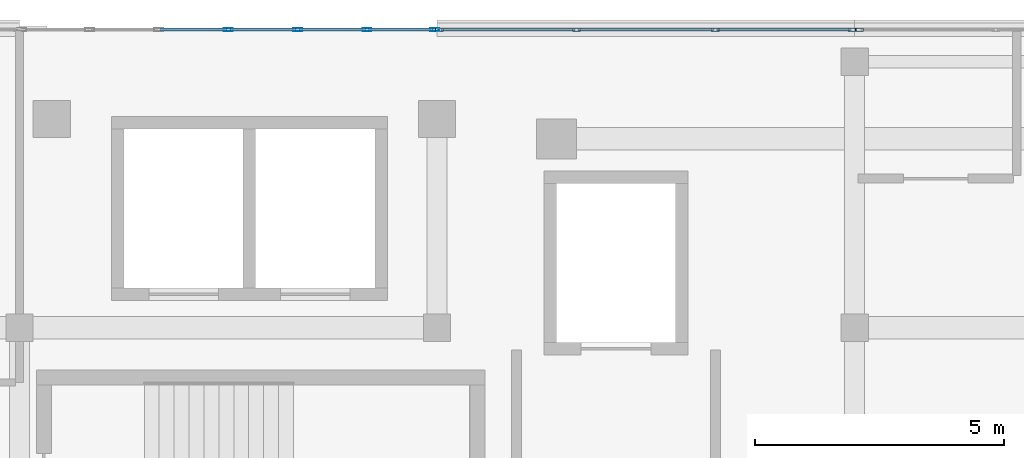
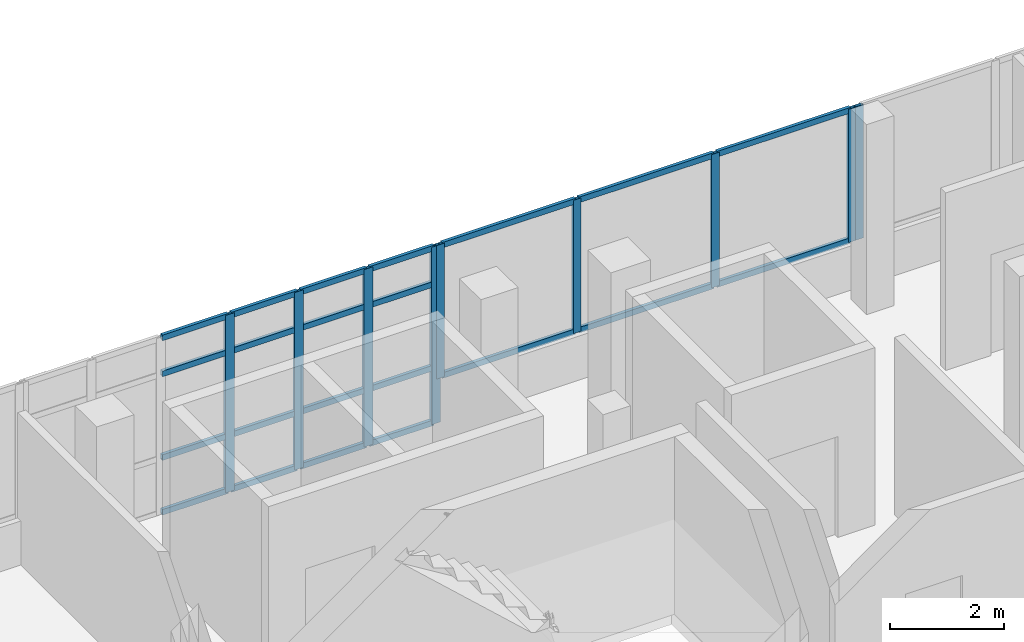
# One storey, part 20 of 66: 31 members, 3 elements without a shape of their own.
"""IFC4 building model written with IfcOpenShell, lengths in metres."""

from ifc_helpers import new_model, si_unit, direction, frame, origin, origin_2d, place, context, subcontext, project, spatial, hollow_rectangle, extrude, material, material_profile, profile_set, type_object, element, aggregate, save


model = new_model("IFC4")

# Units and contexts
model_context = context("Model", 3, precision=1e-05, world=origin(), true_north=direction((0.0, 1.0)))
body_context = subcontext(model_context, "Body", "Model", "MODEL_VIEW")
ifc_project = project(units=[si_unit("LENGTHUNIT", "METRE"), si_unit("AREAUNIT", "SQUARE_METRE"), si_unit("VOLUMEUNIT", "CUBIC_METRE"), si_unit("PLANEANGLEUNIT", "RADIAN"), si_unit("MASSUNIT", "GRAM", prefix="KILO")], contexts=[model_context])

# Site, building, storey
site_placement = place(None, origin())
site = spatial("IfcSite", under=ifc_project, at=site_placement, CompositionType="ELEMENT")
building_placement = place(site_placement, origin())
building = spatial("IfcBuilding", under=site, at=building_placement, Name="Selatvlak General Hospital", CompositionType="ELEMENT")
storey_placement = place(building_placement, frame((0.0, 0.0, 31.35009765625)))
storey = spatial("IfcBuildingStorey", under=building, at=storey_placement, Name="L07", CompositionType="ELEMENT", Elevation=31.35009765625)

# Curtain wall, members
ifc_material_1 = material(Name="Solar-control Low-E double glazing", Category="glass")
curtain_wall_type_1 = type_object("IfcCurtainWallType", Name="CW-CW-01", PredefinedType="USERDEFINED", material=ifc_material_1)
curtain_wall_1_placement = place(storey_placement, origin())
curtain_wall_1 = element("IfcCurtainWall", 1, at=curtain_wall_1_placement, inside=storey, type_object=curtain_wall_type_1, Name="Glazed facade curtain wall CW-L07-0647", ObjectType="UNITISED CURTAIN WALL", PredefinedType="USERDEFINED")
ifc_material_2 = material(Name="Dark anodised aluminium mullion", Category="aluminium")
ifc_material_profile_1 = material_profile(ifc_material_2, hollow_rectangle(XDim=0.06494140625, YDim=0.159912109375, WallThickness=0.00390625, at=origin_2d()), Name="AL-MUL 65x160x4")
ifc_profile_set_1 = profile_set([ifc_material_profile_1], Name="Dark anodised aluminium mullion")
member_type_1 = type_object("IfcMemberType", Name="CWM-01", PredefinedType="MULLION", material=ifc_profile_set_1)
member_1_placement = place(storey_placement, frame((56.447509765625, 119.9990234375, 0.93994140625), z_axis=(0.0, 0.0, 1.0), x_axis=(0.0, 1.0, 0.0)))
member_1 = element("IfcMember", 2, at=member_1_placement, type_object=member_type_1, Name="CW-01 mullion 1", PredefinedType="MULLION", context=body_context, shape_type="SweptSolid", body=[
    extrude(hollow_rectangle(XDim=0.06494140625, YDim=0.159912109375, WallThickness=0.00390625, at=origin_2d()), origin(), (0.0, 0.0, 1.0), 2.844970703125),
])
member_2_placement = place(storey_placement, frame((59.205078125, 119.9990234375, 0.93994140625), z_axis=(0.0, 0.0, 1.0), x_axis=(0.0, 1.0, 0.0)))
member_2 = element("IfcMember", 3, at=member_2_placement, type_object=member_type_1, Name="CW-01 mullion 2", PredefinedType="MULLION", context=body_context, shape_type="SweptSolid", body=[
    extrude(hollow_rectangle(XDim=0.06494140625, YDim=0.159912109375, WallThickness=0.00390625, at=origin_2d()), origin(), (0.0, 0.0, 1.0), 2.844970703125),
])
member_3_placement = place(storey_placement, frame((61.9951171875, 119.9990234375, 0.93994140625), z_axis=(0.0, 0.0, 1.0), x_axis=(0.0, 1.0, 0.0)))
member_3 = element("IfcMember", 4, at=member_3_placement, type_object=member_type_1, Name="CW-01 mullion 3", PredefinedType="MULLION", context=body_context, shape_type="SweptSolid", body=[
    extrude(hollow_rectangle(XDim=0.06494140625, YDim=0.159912109375, WallThickness=0.00390625, at=origin_2d()), origin(), (0.0, 0.0, 1.0), 2.844970703125),
])
member_4_placement = place(storey_placement, frame((64.75244140625, 119.9990234375, 0.93994140625), z_axis=(0.0, 0.0, 1.0), x_axis=(0.0, 1.0, 0.0)))
member_4 = element("IfcMember", 5, at=member_4_placement, type_object=member_type_1, Name="CW-01 mullion 4", PredefinedType="MULLION", context=body_context, shape_type="SweptSolid", body=[
    extrude(hollow_rectangle(XDim=0.06494140625, YDim=0.159912109375, WallThickness=0.00390625, at=origin_2d()), origin(), (0.0, 0.0, 1.0), 2.844970703125),
])

# Curtain wall, member
curtain_wall_type_2 = type_object("IfcCurtainWallType", Name="CW-CW-02", PredefinedType="USERDEFINED", material=ifc_material_1)
curtain_wall_2_placement = place(storey_placement, origin())
curtain_wall_2 = element("IfcCurtainWall", 6, at=curtain_wall_2_placement, inside=storey, type_object=curtain_wall_type_2, Name="Glazed facade curtain wall CW-L07-0648", ObjectType="UNITISED CURTAIN WALL", PredefinedType="USERDEFINED")
member_5_placement = place(storey_placement, frame((64.8974609375, 119.9990234375, 0.93994140625), z_axis=(0.0, 0.0, 1.0), x_axis=(0.0, 1.0, 0.0)))
member_5 = element("IfcMember", 7, at=member_5_placement, type_object=member_type_1, Name="CW-02 mullion 1", PredefinedType="MULLION", context=body_context, shape_type="SweptSolid", body=[
    extrude(hollow_rectangle(XDim=0.06494140625, YDim=0.159912109375, WallThickness=0.00390625, at=origin_2d()), origin(), (0.0, 0.0, 1.0), 2.844970703125),
])
aggregate(curtain_wall_2, [member_5])

# Curtain wall, members
curtain_wall_type_3 = type_object("IfcCurtainWallType", Name="CW-CW-04", PredefinedType="USERDEFINED", material=ifc_material_1)
curtain_wall_3_placement = place(storey_placement, origin())
curtain_wall_3 = element("IfcCurtainWall", 8, at=curtain_wall_3_placement, inside=storey, type_object=curtain_wall_type_3, Name="Glazed facade curtain wall CW-L07-0646", ObjectType="STICK GLAZING WALL", PredefinedType="USERDEFINED")
ifc_material_profile_2 = material_profile(ifc_material_2, hollow_rectangle(XDim=0.06494140625, YDim=0.179931640625, WallThickness=0.00439453125, at=origin_2d()), Name="AL-MUL 65x180x4.5")
ifc_profile_set_2 = profile_set([ifc_material_profile_2], Name="Dark anodised aluminium mullion")
member_type_2 = type_object("IfcMemberType", Name="CWM-02", PredefinedType="MULLION", material=ifc_profile_set_2)
member_6_placement = place(storey_placement, frame((52.199951171875, 119.9990234375, 0.0), z_axis=(0.0, 0.0, 1.0), x_axis=(0.0, 1.0, 0.0)))
member_6 = element("IfcMember", 9, at=member_6_placement, type_object=member_type_2, Name="CW-04 mullion 4", PredefinedType="MULLION", context=body_context, shape_type="SweptSolid", body=[
    extrude(hollow_rectangle(XDim=0.06494140625, YDim=0.179931640625, WallThickness=0.00439453125, at=origin_2d()), origin(), (0.0, 0.0, 1.0), 3.784912109375),
])
member_7_placement = place(storey_placement, frame((53.594970703125, 119.9990234375, 0.0), z_axis=(0.0, 0.0, 1.0), x_axis=(0.0, 1.0, 0.0)))
member_7 = element("IfcMember", 10, at=member_7_placement, type_object=member_type_2, Name="CW-04 mullion 5", PredefinedType="MULLION", context=body_context, shape_type="SweptSolid", body=[
    extrude(hollow_rectangle(XDim=0.06494140625, YDim=0.179931640625, WallThickness=0.00439453125, at=origin_2d()), origin(), (0.0, 0.0, 1.0), 3.784912109375),
])
member_8_placement = place(storey_placement, frame((54.989990234375, 119.9990234375, 0.0), z_axis=(0.0, 0.0, 1.0), x_axis=(0.0, 1.0, 0.0)))
member_8 = element("IfcMember", 11, at=member_8_placement, type_object=member_type_2, Name="CW-04 mullion 6", PredefinedType="MULLION", context=body_context, shape_type="SweptSolid", body=[
    extrude(hollow_rectangle(XDim=0.06494140625, YDim=0.179931640625, WallThickness=0.00439453125, at=origin_2d()), origin(), (0.0, 0.0, 1.0), 3.784912109375),
])
member_9_placement = place(storey_placement, frame((56.3525390625, 119.9990234375, 0.0), z_axis=(0.0, 0.0, 1.0), x_axis=(0.0, 1.0, 0.0)))
member_9 = element("IfcMember", 12, at=member_9_placement, type_object=member_type_2, Name="CW-04 mullion 7", PredefinedType="MULLION", context=body_context, shape_type="SweptSolid", body=[
    extrude(hollow_rectangle(XDim=0.06494140625, YDim=0.179931640625, WallThickness=0.00439453125, at=origin_2d()), origin(), (0.0, 0.0, 1.0), 3.784912109375),
])
ifc_material_profile_3 = material_profile(ifc_material_2, hollow_rectangle(XDim=0.06494140625, YDim=0.1201171875, WallThickness=0.00390625, at=origin_2d()), Name="AL-TRN 65x120x4")
ifc_profile_set_3 = profile_set([ifc_material_profile_3], Name="Dark anodised aluminium mullion")
member_type_3 = type_object("IfcMemberType", Name="CWT-01", PredefinedType="USERDEFINED", material=ifc_profile_set_3)
member_10_placement = place(storey_placement, frame((50.83740234375, 119.9990234375, 0.032470703125), z_axis=(1.0, 0.0, 0.0), x_axis=(0.0, 1.0, 0.0)))
member_10 = element("IfcMember", 13, at=member_10_placement, type_object=member_type_3, Name="CW-04 transom 3.1", ObjectType="TRANSOM", PredefinedType="USERDEFINED", context=body_context, shape_type="SweptSolid", body=[
    extrude(hollow_rectangle(XDim=0.06494140625, YDim=0.1201171875, WallThickness=0.00390625, at=origin_2d()), origin(), (0.0, 0.0, 1.0), 1.330078125),
])
member_11_placement = place(storey_placement, frame((50.83740234375, 119.9990234375, 1.199951171875), z_axis=(1.0, 0.0, 0.0), x_axis=(0.0, 1.0, 0.0)))
member_11 = element("IfcMember", 14, at=member_11_placement, type_object=member_type_3, Name="CW-04 transom 3.2", ObjectType="TRANSOM", PredefinedType="USERDEFINED", context=body_context, shape_type="SweptSolid", body=[
    extrude(hollow_rectangle(XDim=0.06494140625, YDim=0.1201171875, WallThickness=0.00390625, at=origin_2d()), origin(), (0.0, 0.0, 1.0), 1.330078125),
])
member_12_placement = place(storey_placement, frame((50.83740234375, 119.9990234375, 2.98486328125), z_axis=(1.0, 0.0, 0.0), x_axis=(0.0, 1.0, 0.0)))
member_12 = element("IfcMember", 15, at=member_12_placement, type_object=member_type_3, Name="CW-04 transom 3.3", ObjectType="TRANSOM", PredefinedType="USERDEFINED", context=body_context, shape_type="SweptSolid", body=[
    extrude(hollow_rectangle(XDim=0.06494140625, YDim=0.1201171875, WallThickness=0.00390625, at=origin_2d()), origin(), (0.0, 0.0, 1.0), 1.330078125),
])
member_13_placement = place(storey_placement, frame((50.83740234375, 119.9990234375, 3.75244140625), z_axis=(1.0, 0.0, 0.0), x_axis=(0.0, 1.0, 0.0)))
member_13 = element("IfcMember", 16, at=member_13_placement, type_object=member_type_3, Name="CW-04 transom 3.4", ObjectType="TRANSOM", PredefinedType="USERDEFINED", context=body_context, shape_type="SweptSolid", body=[
    extrude(hollow_rectangle(XDim=0.06494140625, YDim=0.1201171875, WallThickness=0.00390625, at=origin_2d()), origin(), (0.0, 0.0, 1.0), 1.330078125),
])
member_14_placement = place(storey_placement, frame((52.232421875, 119.9990234375, 0.032470703125), z_axis=(1.0, 0.0, 0.0), x_axis=(0.0, 1.0, 0.0)))
member_14 = element("IfcMember", 17, at=member_14_placement, type_object=member_type_3, Name="CW-04 transom 4.1", ObjectType="TRANSOM", PredefinedType="USERDEFINED", context=body_context, shape_type="SweptSolid", body=[
    extrude(hollow_rectangle(XDim=0.06494140625, YDim=0.1201171875, WallThickness=0.00390625, at=origin_2d()), origin(), (0.0, 0.0, 1.0), 1.330078125),
])
member_15_placement = place(storey_placement, frame((52.232421875, 119.9990234375, 1.199951171875), z_axis=(1.0, 0.0, 0.0), x_axis=(0.0, 1.0, 0.0)))
member_15 = element("IfcMember", 18, at=member_15_placement, type_object=member_type_3, Name="CW-04 transom 4.2", ObjectType="TRANSOM", PredefinedType="USERDEFINED", context=body_context, shape_type="SweptSolid", body=[
    extrude(hollow_rectangle(XDim=0.06494140625, YDim=0.1201171875, WallThickness=0.00390625, at=origin_2d()), origin(), (0.0, 0.0, 1.0), 1.330078125),
])
member_16_placement = place(storey_placement, frame((52.232421875, 119.9990234375, 2.98486328125), z_axis=(1.0, 0.0, 0.0), x_axis=(0.0, 1.0, 0.0)))
member_16 = element("IfcMember", 19, at=member_16_placement, type_object=member_type_3, Name="CW-04 transom 4.3", ObjectType="TRANSOM", PredefinedType="USERDEFINED", context=body_context, shape_type="SweptSolid", body=[
    extrude(hollow_rectangle(XDim=0.06494140625, YDim=0.1201171875, WallThickness=0.00390625, at=origin_2d()), origin(), (0.0, 0.0, 1.0), 1.330078125),
])
member_17_placement = place(storey_placement, frame((52.232421875, 119.9990234375, 3.75244140625), z_axis=(1.0, 0.0, 0.0), x_axis=(0.0, 1.0, 0.0)))
member_17 = element("IfcMember", 20, at=member_17_placement, type_object=member_type_3, Name="CW-04 transom 4.4", ObjectType="TRANSOM", PredefinedType="USERDEFINED", context=body_context, shape_type="SweptSolid", body=[
    extrude(hollow_rectangle(XDim=0.06494140625, YDim=0.1201171875, WallThickness=0.00390625, at=origin_2d()), origin(), (0.0, 0.0, 1.0), 1.330078125),
])
member_18_placement = place(storey_placement, frame((53.62744140625, 119.9990234375, 0.032470703125), z_axis=(1.0, 0.0, 0.0), x_axis=(0.0, 1.0, 0.0)))
member_18 = element("IfcMember", 21, at=member_18_placement, type_object=member_type_3, Name="CW-04 transom 5.1", ObjectType="TRANSOM", PredefinedType="USERDEFINED", context=body_context, shape_type="SweptSolid", body=[
    extrude(hollow_rectangle(XDim=0.06494140625, YDim=0.1201171875, WallThickness=0.00390625, at=origin_2d()), origin(), (0.0, 0.0, 1.0), 1.330078125),
])
member_19_placement = place(storey_placement, frame((53.62744140625, 119.9990234375, 1.199951171875), z_axis=(1.0, 0.0, 0.0), x_axis=(0.0, 1.0, 0.0)))
member_19 = element("IfcMember", 22, at=member_19_placement, type_object=member_type_3, Name="CW-04 transom 5.2", ObjectType="TRANSOM", PredefinedType="USERDEFINED", context=body_context, shape_type="SweptSolid", body=[
    extrude(hollow_rectangle(XDim=0.06494140625, YDim=0.1201171875, WallThickness=0.00390625, at=origin_2d()), origin(), (0.0, 0.0, 1.0), 1.330078125),
])
member_20_placement = place(storey_placement, frame((53.62744140625, 119.9990234375, 2.98486328125), z_axis=(1.0, 0.0, 0.0), x_axis=(0.0, 1.0, 0.0)))
member_20 = element("IfcMember", 23, at=member_20_placement, type_object=member_type_3, Name="CW-04 transom 5.3", ObjectType="TRANSOM", PredefinedType="USERDEFINED", context=body_context, shape_type="SweptSolid", body=[
    extrude(hollow_rectangle(XDim=0.06494140625, YDim=0.1201171875, WallThickness=0.00390625, at=origin_2d()), origin(), (0.0, 0.0, 1.0), 1.330078125),
])
member_21_placement = place(storey_placement, frame((53.62744140625, 119.9990234375, 3.75244140625), z_axis=(1.0, 0.0, 0.0), x_axis=(0.0, 1.0, 0.0)))
member_21 = element("IfcMember", 24, at=member_21_placement, type_object=member_type_3, Name="CW-04 transom 5.4", ObjectType="TRANSOM", PredefinedType="USERDEFINED", context=body_context, shape_type="SweptSolid", body=[
    extrude(hollow_rectangle(XDim=0.06494140625, YDim=0.1201171875, WallThickness=0.00390625, at=origin_2d()), origin(), (0.0, 0.0, 1.0), 1.330078125),
])
member_22_placement = place(storey_placement, frame((55.0224609375, 119.9990234375, 0.032470703125), z_axis=(1.0, 0.0, 0.0), x_axis=(0.0, 1.0, 0.0)))
member_22 = element("IfcMember", 25, at=member_22_placement, type_object=member_type_3, Name="CW-04 transom 6.1", ObjectType="TRANSOM", PredefinedType="USERDEFINED", context=body_context, shape_type="SweptSolid", body=[
    extrude(hollow_rectangle(XDim=0.06494140625, YDim=0.1201171875, WallThickness=0.00390625, at=origin_2d()), origin(), (0.0, 0.0, 1.0), 1.297607421875),
])
member_23_placement = place(storey_placement, frame((55.0224609375, 119.9990234375, 1.199951171875), z_axis=(1.0, 0.0, 0.0), x_axis=(0.0, 1.0, 0.0)))
member_23 = element("IfcMember", 26, at=member_23_placement, type_object=member_type_3, Name="CW-04 transom 6.2", ObjectType="TRANSOM", PredefinedType="USERDEFINED", context=body_context, shape_type="SweptSolid", body=[
    extrude(hollow_rectangle(XDim=0.06494140625, YDim=0.1201171875, WallThickness=0.00390625, at=origin_2d()), origin(), (0.0, 0.0, 1.0), 1.297607421875),
])
member_24_placement = place(storey_placement, frame((55.0224609375, 119.9990234375, 2.98486328125), z_axis=(1.0, 0.0, 0.0), x_axis=(0.0, 1.0, 0.0)))
member_24 = element("IfcMember", 27, at=member_24_placement, type_object=member_type_3, Name="CW-04 transom 6.3", ObjectType="TRANSOM", PredefinedType="USERDEFINED", context=body_context, shape_type="SweptSolid", body=[
    extrude(hollow_rectangle(XDim=0.06494140625, YDim=0.1201171875, WallThickness=0.00390625, at=origin_2d()), origin(), (0.0, 0.0, 1.0), 1.297607421875),
])
member_25_placement = place(storey_placement, frame((55.0224609375, 119.9990234375, 3.75244140625), z_axis=(1.0, 0.0, 0.0), x_axis=(0.0, 1.0, 0.0)))
member_25 = element("IfcMember", 28, at=member_25_placement, type_object=member_type_3, Name="CW-04 transom 6.4", ObjectType="TRANSOM", PredefinedType="USERDEFINED", context=body_context, shape_type="SweptSolid", body=[
    extrude(hollow_rectangle(XDim=0.06494140625, YDim=0.1201171875, WallThickness=0.00390625, at=origin_2d()), origin(), (0.0, 0.0, 1.0), 1.297607421875),
])
aggregate(curtain_wall_3, [member_6, member_7, member_8, member_9, member_10, member_11, member_12, member_13, member_14, member_15, member_16, member_17, member_18, member_19, member_20, member_21, member_22, member_23, member_24, member_25])

# Member
member_26_placement = place(storey_placement, frame((56.47998046875, 119.9990234375, 0.972412109375), z_axis=(1.0, 0.0, 0.0), x_axis=(0.0, 1.0, 0.0)))
member_26 = element("IfcMember", 29, at=member_26_placement, type_object=member_type_3, Name="CW-01 transom 1.1", ObjectType="TRANSOM", PredefinedType="USERDEFINED", context=body_context, shape_type="SweptSolid", body=[
    extrude(hollow_rectangle(XDim=0.06494140625, YDim=0.1201171875, WallThickness=0.00390625, at=origin_2d()), origin(), (0.0, 0.0, 1.0), 2.692626953125),
])

member_27_placement = place(storey_placement, frame((56.47998046875, 119.9990234375, 3.75244140625), z_axis=(1.0, 0.0, 0.0), x_axis=(0.0, 1.0, 0.0)))
member_27 = element("IfcMember", 30, at=member_27_placement, type_object=member_type_3, Name="CW-01 transom 1.2", ObjectType="TRANSOM", PredefinedType="USERDEFINED", context=body_context, shape_type="SweptSolid", body=[
    extrude(hollow_rectangle(XDim=0.06494140625, YDim=0.1201171875, WallThickness=0.00390625, at=origin_2d()), origin(), (0.0, 0.0, 1.0), 2.692626953125),
])

member_28_placement = place(storey_placement, frame((59.237548828125, 119.9990234375, 0.972412109375), z_axis=(1.0, 0.0, 0.0), x_axis=(0.0, 1.0, 0.0)))
member_28 = element("IfcMember", 31, at=member_28_placement, type_object=member_type_3, Name="CW-01 transom 2.1", ObjectType="TRANSOM", PredefinedType="USERDEFINED", context=body_context, shape_type="SweptSolid", body=[
    extrude(hollow_rectangle(XDim=0.06494140625, YDim=0.1201171875, WallThickness=0.00390625, at=origin_2d()), origin(), (0.0, 0.0, 1.0), 2.724853515625),
])

member_29_placement = place(storey_placement, frame((59.237548828125, 119.9990234375, 3.75244140625), z_axis=(1.0, 0.0, 0.0), x_axis=(0.0, 1.0, 0.0)))
member_29 = element("IfcMember", 32, at=member_29_placement, type_object=member_type_3, Name="CW-01 transom 2.2", ObjectType="TRANSOM", PredefinedType="USERDEFINED", context=body_context, shape_type="SweptSolid", body=[
    extrude(hollow_rectangle(XDim=0.06494140625, YDim=0.1201171875, WallThickness=0.00390625, at=origin_2d()), origin(), (0.0, 0.0, 1.0), 2.724853515625),
])

member_30_placement = place(storey_placement, frame((62.027587890625, 119.9990234375, 0.972412109375), z_axis=(1.0, 0.0, 0.0), x_axis=(0.0, 1.0, 0.0)))
member_30 = element("IfcMember", 33, at=member_30_placement, type_object=member_type_3, Name="CW-01 transom 3.1", ObjectType="TRANSOM", PredefinedType="USERDEFINED", context=body_context, shape_type="SweptSolid", body=[
    extrude(hollow_rectangle(XDim=0.06494140625, YDim=0.1201171875, WallThickness=0.00390625, at=origin_2d()), origin(), (0.0, 0.0, 1.0), 2.6923828125),
])

member_31_placement = place(storey_placement, frame((62.027587890625, 119.9990234375, 3.75244140625), z_axis=(1.0, 0.0, 0.0), x_axis=(0.0, 1.0, 0.0)))
member_31 = element("IfcMember", 34, at=member_31_placement, type_object=member_type_3, Name="CW-01 transom 3.2", ObjectType="TRANSOM", PredefinedType="USERDEFINED", context=body_context, shape_type="SweptSolid", body=[
    extrude(hollow_rectangle(XDim=0.06494140625, YDim=0.1201171875, WallThickness=0.00390625, at=origin_2d()), origin(), (0.0, 0.0, 1.0), 2.6923828125),
])

aggregate(curtain_wall_1, [member_1, member_2, member_3, member_4, member_26, member_27, member_28, member_29, member_30, member_31])

save(model, "model.ifc")
